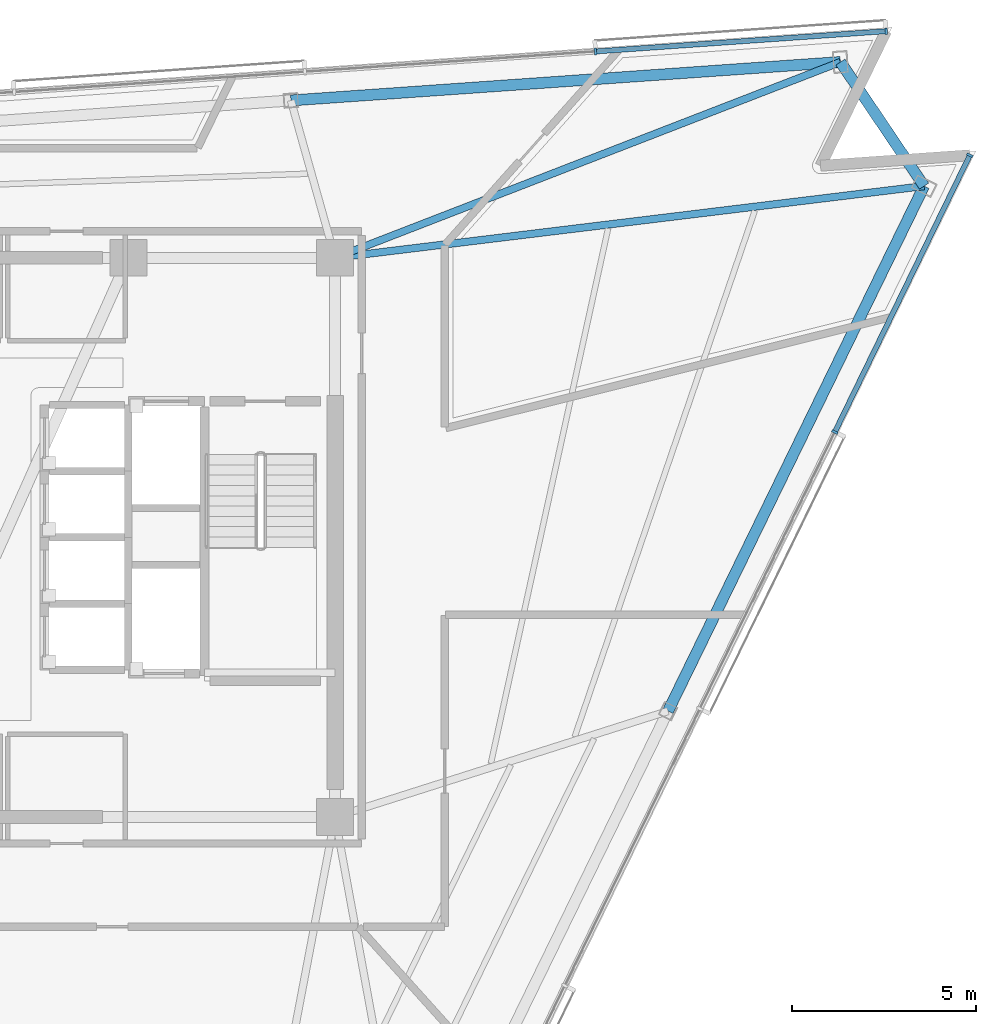
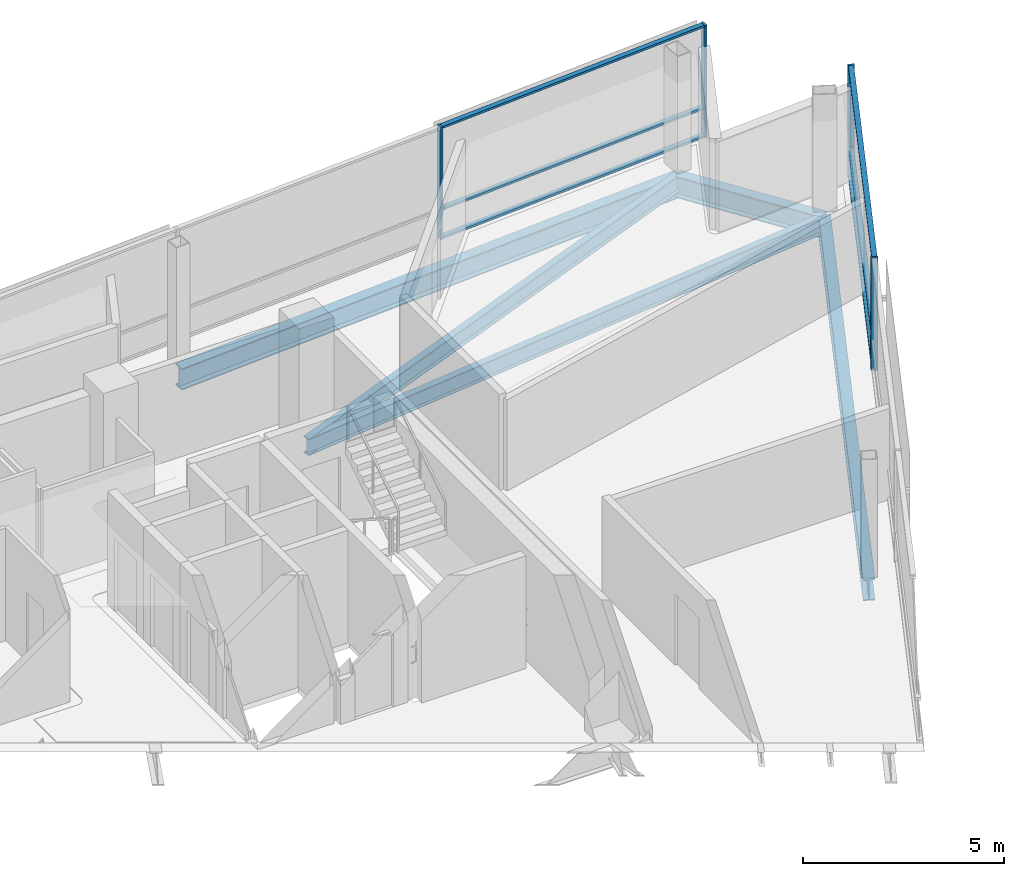
# One storey, part 7 of 16: 10 members, 5 beams, 2 elements without a shape of their own.
"""IFC4 building model written with IfcOpenShell, lengths in metres."""

import ifcopenshell
import ifcopenshell.guid

model = None  # the IFC model being written
_history = None  # IfcOwnerHistory: only IFC2X3 demands one
_inside = {}  # id of a spatial element -> (the spatial element, [elements in it])
_under = {}  # id of a project, library or spatial element -> (it, [spatial elements below it])
_declared = {}  # id of a project -> (the project, [libraries it declares])
_typed = {}  # id of a type object -> (the type object, [elements of that type])
_made_of = {}  # id of a material, layer set ... -> (it, [elements and type objects made of it])


def new_model(schema):
    """Start an empty IFC model of exactly this schema.

    Asked for "IFC4X3", IfcOpenShell would pick the latest addendum, in which some entities
    have other attributes; the version numbers below select the first issue.
    IFC2X3 requires an IfcOwnerHistory on every rooted entity: one is made here for all.
    """
    global model, _history
    if schema == "IFC4X3":
        model = ifcopenshell.file(schema_version=(4, 3, 0, 0))
    else:
        model = ifcopenshell.file(schema=schema)
    _inside.clear()
    _under.clear()
    _declared.clear()
    _typed.clear()
    _made_of.clear()
    _history = None
    if model.schema == "IFC2X3":
        org = make("IfcOrganization", Name="unknown")
        user = make(
            "IfcPersonAndOrganization",
            ThePerson=make("IfcPerson", FamilyName="unknown"),
            TheOrganization=org,
        )
        app = make(
            "IfcApplication",
            ApplicationDeveloper=org,
            Version="unknown",
            ApplicationFullName="unknown",
            ApplicationIdentifier="unknown",
        )
        _history = make(
            "IfcOwnerHistory",
            OwningUser=user,
            OwningApplication=app,
            ChangeAction="ADDED",
            CreationDate=0,
        )
    return model


def make(cls, **values):
    """One entity of the class cls with the attributes given. An attribute that is None is left unset."""
    return model.create_entity(
        cls, **{name: value for name, value in values.items() if value is not None}
    )


def rooted(cls, **values):
    """An entity with a GlobalId (a new one), such as an element, a storey or a relation."""
    return make(cls, GlobalId=ifcopenshell.guid.new(), OwnerHistory=_history, **values)


def si_unit(unit_type, name, prefix=None):
    """IfcSIUnit, for example si_unit("LENGTHUNIT", "METRE", prefix="MILLI")."""
    return make("IfcSIUnit", UnitType=unit_type, Prefix=prefix, Name=name)


def assignment(units):
    """IfcUnitAssignment: the units of a project."""
    return None if units is None else make("IfcUnitAssignment", Units=units)


def point(xyz):
    """IfcCartesianPoint."""
    return None if xyz is None else make("IfcCartesianPoint", Coordinates=xyz)


def direction(xyz):
    """IfcDirection."""
    return None if xyz is None else make("IfcDirection", DirectionRatios=xyz)


def frame(location, z_axis=None, x_axis=None):
    """IfcAxis2Placement3D, a coordinate frame: its origin and axes. An axis left out is left unset."""
    return make(
        "IfcAxis2Placement3D",
        Location=point(location),
        Axis=direction(z_axis),
        RefDirection=direction(x_axis),
    )


def frame_2d(location, x_axis=None):
    """IfcAxis2Placement2D, a coordinate frame in the plane: its origin and x axis."""
    return make(
        "IfcAxis2Placement2D", Location=point(location), RefDirection=direction(x_axis)
    )


def origin():
    """The frame at (0, 0, 0) with its axes left unset."""
    return frame((0.0, 0.0, 0.0))


def origin_2d():
    """The frame at (0, 0) in the plane with its x axis left unset."""
    return frame_2d((0.0, 0.0))


def place(relative_to, where):
    """IfcLocalPlacement: puts the frame where relative to a parent placement (None: the world)."""
    return make(
        "IfcLocalPlacement", PlacementRelTo=relative_to, RelativePlacement=where
    )


def context(
    kind, dimensions, precision=None, world=None, true_north=None, identifier=None
):
    """IfcGeometricRepresentationContext, for example the 3D "Model" context."""
    return make(
        "IfcGeometricRepresentationContext",
        ContextIdentifier=identifier,
        ContextType=kind,
        CoordinateSpaceDimension=dimensions,
        Precision=precision,
        WorldCoordinateSystem=world,
        TrueNorth=true_north,
    )


def subcontext(parent, identifier, kind, view, scale=None):
    """IfcGeometricRepresentationSubContext, for example "Body" below "Model"."""
    return make(
        "IfcGeometricRepresentationSubContext",
        ContextIdentifier=identifier,
        ContextType=kind,
        ParentContext=parent,
        TargetScale=scale,
        TargetView=view,
    )


def project(units=None, contexts=None):
    """IfcProject with its units and contexts."""
    return rooted(
        "IfcProject",
        Name="project",
        RepresentationContexts=contexts,
        UnitsInContext=assignment(units),
    )


def spatial(cls, under=None, at=None, **own):
    """A site, building, storey or space (cls), placed at a placement, below another one or the project."""
    s = rooted(cls, ObjectPlacement=at, **own)
    if under is not None:
        _under.setdefault(under.id(), (under, []))[1].append(s)
    return s


def profile(cls, at=None, kind="AREA", **sizes):
    """A parametric profile (cls). Its sizes go by their IFC names, for example OverallWidth=200.0."""
    return make(cls, ProfileType=kind, Position=at, **sizes)


def rectangle(**sizes):
    """IfcRectangleProfileDef."""
    return profile("IfcRectangleProfileDef", **sizes)


def i_section(**sizes):
    """IfcIShapeProfileDef."""
    return profile("IfcIShapeProfileDef", **sizes)


def extrude(swept, where, along, depth):
    """IfcExtrudedAreaSolid: the profile swept, set in the frame where, extruded along a direction by depth."""
    return make(
        "IfcExtrudedAreaSolid",
        SweptArea=swept,
        Position=where,
        ExtrudedDirection=direction(along),
        Depth=depth,
    )


def shape(context_of_items, identifier, shape_type, items):
    """IfcShapeRepresentation: the items that make up one representation, for example the "Body"."""
    return make(
        "IfcShapeRepresentation",
        ContextOfItems=context_of_items,
        RepresentationIdentifier=identifier,
        RepresentationType=shape_type,
        Items=items,
    )


def material(Name=None, Category=None):
    """IfcMaterial."""
    return make("IfcMaterial", Name=Name, Category=Category)


def layer(
    of_material, thickness, ventilated=None, Name=None, Category=None, Priority=None
):
    """IfcMaterialLayer: one layer of a wall or slab, of a material (None: an air gap)."""
    return make(
        "IfcMaterialLayer",
        Material=of_material,
        LayerThickness=thickness,
        IsVentilated=ventilated,
        Name=Name,
        Category=Category,
        Priority=Priority,
    )


def layer_set(layers, Name=None):
    """IfcMaterialLayerSet."""
    return make("IfcMaterialLayerSet", MaterialLayers=layers, LayerSetName=Name)


def material_profile(
    of_material, cross_section, Name=None, Category=None, Priority=None
):
    """IfcMaterialProfile: a cross section and its material."""
    return make(
        "IfcMaterialProfile",
        Name=Name,
        Material=of_material,
        Profile=cross_section,
        Priority=Priority,
        Category=Category,
    )


def profile_set(profiles, Name=None, composite=None):
    """IfcMaterialProfileSet."""
    return make(
        "IfcMaterialProfileSet",
        Name=Name,
        MaterialProfiles=profiles,
        CompositeProfile=composite,
    )


def made_of(thing, what):
    """Note that an element or type object is made of a material, layer set ...; save() writes the relation."""
    if what is not None:
        _made_of.setdefault(what.id(), (what, []))[1].append(thing)
    return thing


def type_object(cls, material=None, **own):
    """A type object (cls), such as IfcWallType, which elements share."""
    return made_of(rooted(cls, **own), material)


def element(
    cls,
    number,
    at=None,
    inside=None,
    cuts=None,
    type_object=None,
    material=None,
    context=None,
    identifier="Body",
    shape_type=None,
    held_by="IfcProductDefinitionShape",
    body=None,
    shapes=None,
    **own,
):
    """One element of the class cls, such as IfcWall. Its Tag is "e" and its number.

    at: its placement. inside: the storey or other place that contains it. cuts: it is an
    opening in that element (IfcRelVoidsElement). A single representation is given by context,
    identifier, shape_type and body (its items); several are given by shapes. held_by: the class
    of the entity that holds the representations. save() writes the other relations.
    """
    e = rooted(cls, Tag="e%d" % number, ObjectPlacement=at, **own)
    if body is not None:
        shapes = [shape(context, identifier, shape_type, body)]
    if shapes is not None:
        e.Representation = make(held_by, Representations=shapes)
    if inside is not None:
        _inside.setdefault(inside.id(), (inside, []))[1].append(e)
    if cuts is not None:
        rooted(
            "IfcRelVoidsElement", RelatingBuildingElement=cuts, RelatedOpeningElement=e
        )
    if type_object is not None:
        _typed.setdefault(type_object.id(), (type_object, []))[1].append(e)
    return made_of(e, material)


def aggregate(whole, parts):
    """IfcRelAggregates: a whole, such as a stair, and the parts it consists of."""
    return rooted("IfcRelAggregates", RelatingObject=whole, RelatedObjects=parts)


def save(model, path):
    """Write the relations noted so far, then the file.

    IfcRelAggregates (storeys below a building ...), IfcRelContainedInSpatialStructure (elements
    in a storey), IfcRelDefinesByType, IfcRelAssociatesMaterial and IfcRelDeclares: one each for
    every whole, place, type object, material and project.
    """
    for whole, parts in _under.values():
        aggregate(whole, parts)
    for where, things in _inside.values():
        rooted(
            "IfcRelContainedInSpatialStructure",
            RelatedElements=things,
            RelatingStructure=where,
        )
    for kind, things in _typed.values():
        rooted("IfcRelDefinesByType", RelatedObjects=things, RelatingType=kind)
    for what, things in _made_of.values():
        rooted("IfcRelAssociatesMaterial", RelatedObjects=things, RelatingMaterial=what)
    for by, libraries in _declared.values():
        rooted("IfcRelDeclares", RelatingContext=by, RelatedDefinitions=libraries)
    model.write(path)


model = new_model("IFC4")

# Units and contexts
model_context = context("Model", 3, precision=1e-05, world=origin(), true_north=direction((0.0, 1.0)))
body_context = subcontext(model_context, "Body", "Model", "MODEL_VIEW")
ifc_project = project(units=[si_unit("LENGTHUNIT", "METRE"), si_unit("AREAUNIT", "SQUARE_METRE"), si_unit("VOLUMEUNIT", "CUBIC_METRE"), si_unit("PLANEANGLEUNIT", "RADIAN"), si_unit("MASSUNIT", "GRAM", prefix="KILO")], contexts=[model_context])

# Site, building, storey
site_placement = place(None, origin())
site = spatial("IfcSite", under=ifc_project, at=site_placement, CompositionType="ELEMENT")
building_placement = place(site_placement, origin())
building = spatial("IfcBuilding", under=site, at=building_placement, Name="Tharavind Bronze Gate", CompositionType="ELEMENT")
storey_placement = place(building_placement, frame((0.0, 0.0, 257.0)))
storey = spatial("IfcBuildingStorey", under=building, at=storey_placement, Name="L66", CompositionType="ELEMENT", Elevation=257.0)

# Curtain wall, members
ifc_material_1 = material(Name="Anodised Bronze Aluminium", Category="aluminium")
ifc_layer = layer(ifc_material_1, 0.219970703125)
ifc_layer_set = layer_set([ifc_layer], Name="Anodised Bronze Aluminium")
curtain_wall_type = type_object("IfcCurtainWallType", Name="UNITISED CURTAIN WALL UPPER OFFICE", PredefinedType="USERDEFINED", material=ifc_layer_set)
curtain_wall_1_placement = place(storey_placement, origin())
curtain_wall_1 = element("IfcCurtainWall", 1, at=curtain_wall_1_placement, inside=storey, type_object=curtain_wall_type, Name="L66 unitised curtain wall upper office CW-L66-S2", ObjectType="UNITISED CURTAIN WALL", PredefinedType="USERDEFINED")
member_type_1 = type_object("IfcMemberType", Name="CURTAIN WALL BRONZE MULLION 65X180", PredefinedType="MULLION", material=ifc_material_1)
member_1_placement = place(storey_placement, frame((22.485107421875, 2.863525390625, 0.0), z_axis=(0.0, 0.0, 1.0), x_axis=(0.43837271548, 0.898793281196, 0.0)))
member_1 = element("IfcMember", 2, at=member_1_placement, type_object=member_type_1, Name="CW-L66-S2 mullion 6", PredefinedType="MULLION", context=body_context, shape_type="SweptSolid", body=[
    extrude(rectangle(XDim=0.06494140625, YDim=0.179931640625, at=origin_2d()), origin(), (0.0, 0.0, 1.0), 3.419921875),
])
member_2_placement = place(storey_placement, frame((26.1552734375, 10.388427734375, 0.0), z_axis=(0.0, 0.0, 1.0), x_axis=(0.43837271548, 0.898793281196, 0.0)))
member_2 = element("IfcMember", 3, at=member_2_placement, type_object=member_type_1, Name="CW-L66-S2 mullion 7", PredefinedType="MULLION", context=body_context, shape_type="SweptSolid", body=[
    extrude(rectangle(XDim=0.06494140625, YDim=0.179931640625, at=origin_2d()), origin(), (0.0, 0.0, 1.0), 3.419921875),
])

curtain_wall_2_placement = place(storey_placement, origin())
curtain_wall_2 = element("IfcCurtainWall", 4, at=curtain_wall_2_placement, inside=storey, type_object=curtain_wall_type, Name="L66 unitised curtain wall upper office CW-L66-S3", ObjectType="UNITISED CURTAIN WALL", PredefinedType="USERDEFINED")
member_3_placement = place(storey_placement, frame((23.880615234375, 13.760986328125, 0.0), z_axis=(0.0, 0.0, 1.0), x_axis=(-0.997563806758, -0.069759955899, 0.0)))
member_3 = element("IfcMember", 5, at=member_3_placement, type_object=member_type_1, Name="CW-L66-S3 mullion 1", PredefinedType="MULLION", context=body_context, shape_type="SweptSolid", body=[
    extrude(rectangle(XDim=0.06494140625, YDim=0.179931640625, at=origin_2d()), origin(), (0.0, 0.0, 1.0), 3.419921875),
])
member_4_placement = place(storey_placement, frame((15.9794921875, 13.20849609375, 0.0), z_axis=(0.0, 0.0, 1.0), x_axis=(-0.997563806758, -0.069759955899, 0.0)))
member_4 = element("IfcMember", 6, at=member_4_placement, type_object=member_type_1, Name="CW-L66-S3 mullion 2", PredefinedType="MULLION", context=body_context, shape_type="SweptSolid", body=[
    extrude(rectangle(XDim=0.06494140625, YDim=0.179931640625, at=origin_2d()), origin(), (0.0, 0.0, 1.0), 3.419921875),
])

# Member
member_type_2 = type_object("IfcMemberType", Name="CURTAIN WALL BRONZE TRANSOM 65X140", PredefinedType="USERDEFINED", material=ifc_material_1)
member_5_placement = place(storey_placement, frame((24.3203125, 6.6259765625, 0.0), z_axis=(0.0, 0.0, 1.0), x_axis=(0.43837271548, 0.898793281196, 0.0)))
member_5 = element("IfcMember", 7, at=member_5_placement, type_object=member_type_2, Name="CW-L66-S2 transom TB6", ObjectType="TRANSOM", PredefinedType="USERDEFINED", context=body_context, shape_type="SweptSolid", body=[
    extrude(rectangle(XDim=8.3193359375, YDim=0.139892578125, at=origin_2d()), origin(), (0.0, 0.0, 1.0), 0.06494140625),
])

member_6_placement = place(storey_placement, frame((24.3203125, 6.6259765625, 0.867431640625), z_axis=(0.0, 0.0, 1.0), x_axis=(0.43837271548, 0.898793281196, 0.0)))
member_6 = element("IfcMember", 8, at=member_6_placement, type_object=member_type_2, Name="CW-L66-S2 transom TS6", ObjectType="TRANSOM", PredefinedType="USERDEFINED", context=body_context, shape_type="SweptSolid", body=[
    extrude(rectangle(XDim=8.3193359375, YDim=0.139892578125, at=origin_2d()), origin(), (0.0, 0.0, 1.0), 0.06494140625),
])

member_7_placement = place(storey_placement, frame((24.3203125, 6.6259765625, 3.35498046875), z_axis=(0.0, 0.0, 1.0), x_axis=(0.43837271548, 0.898793281196, 0.0)))
member_7 = element("IfcMember", 9, at=member_7_placement, type_object=member_type_2, Name="CW-L66-S2 transom TT6", ObjectType="TRANSOM", PredefinedType="USERDEFINED", context=body_context, shape_type="SweptSolid", body=[
    extrude(rectangle(XDim=8.3193359375, YDim=0.139892578125, at=origin_2d()), origin(), (0.0, 0.0, 1.0), 0.06494140625),
])

aggregate(curtain_wall_1, [member_1, member_2, member_5, member_6, member_7])

member_8_placement = place(storey_placement, frame((19.929931640625, 13.48486328125, 0.0), z_axis=(0.0, 0.0, 1.0), x_axis=(-0.997563806758, -0.069759955899, 0.0)))
member_8 = element("IfcMember", 10, at=member_8_placement, type_object=member_type_2, Name="CW-L66-S3 transom TB1", ObjectType="TRANSOM", PredefinedType="USERDEFINED", context=body_context, shape_type="SweptSolid", body=[
    extrude(rectangle(XDim=7.8671875, YDim=0.139892578125, at=origin_2d()), origin(), (0.0, 0.0, 1.0), 0.06494140625),
])

member_9_placement = place(storey_placement, frame((19.929931640625, 13.48486328125, 0.867431640625), z_axis=(0.0, 0.0, 1.0), x_axis=(-0.997563806758, -0.069759955899, 0.0)))
member_9 = element("IfcMember", 11, at=member_9_placement, type_object=member_type_2, Name="CW-L66-S3 transom TS1", ObjectType="TRANSOM", PredefinedType="USERDEFINED", context=body_context, shape_type="SweptSolid", body=[
    extrude(rectangle(XDim=7.8671875, YDim=0.139892578125, at=origin_2d()), origin(), (0.0, 0.0, 1.0), 0.06494140625),
])

member_10_placement = place(storey_placement, frame((19.929931640625, 13.48486328125, 3.35498046875), z_axis=(0.0, 0.0, 1.0), x_axis=(-0.997563806758, -0.069759955899, 0.0)))
member_10 = element("IfcMember", 12, at=member_10_placement, type_object=member_type_2, Name="CW-L66-S3 transom TT1", ObjectType="TRANSOM", PredefinedType="USERDEFINED", context=body_context, shape_type="SweptSolid", body=[
    extrude(rectangle(XDim=7.8671875, YDim=0.139892578125, at=origin_2d()), origin(), (0.0, 0.0, 1.0), 0.06494140625),
])

aggregate(curtain_wall_2, [member_3, member_4, member_8, member_9, member_10])

# Beams
ifc_material_2 = material(Name="Steel S355", Category="steel")
ifc_material_profile_1 = material_profile(ifc_material_2, i_section(OverallWidth=0.300048828125, OverallDepth=0.64990234375, WebThickness=0.01611328125, FlangeThickness=0.031005859375, at=origin_2d()), Name="HE650B")
ifc_profile_set_1 = profile_set([ifc_material_profile_1], Name="Steel S355")
beam_type_1 = type_object("IfcBeamType", Name="PRIMARY GIRDER HE650B", PredefinedType="USERDEFINED", material=ifc_profile_set_1)
beam_1_placement = place(storey_placement, frame((17.950927734375, -4.721923828125, -0.5048828125), z_axis=(0.438366378116, 0.898796372121, 0.0), x_axis=(-0.898796372121, 0.438366378116, 0.0)))
element("IfcBeam", 13, at=beam_1_placement, inside=storey, type_object=beam_type_1, Name="L66 primary girder he650b BM-L66-PRG07", ObjectType="GIRDER", PredefinedType="USERDEFINED", context=body_context, shape_type="SweptSolid", body=[
    extrude(i_section(OverallWidth=0.300048828125, OverallDepth=0.64990234375, WebThickness=0.01611328125, FlangeThickness=0.031005859375, at=origin_2d()), origin(), (0.0, 0.0, 1.0), 15.878662109375),
])
beam_2_placement = place(storey_placement, frame((24.91162109375, 9.5498046875, -0.5048828125), z_axis=(-0.559165651986, 0.829055953262, 0.0), x_axis=(-0.829055953262, -0.559165651986, 0.0)))
element("IfcBeam", 14, at=beam_2_placement, inside=storey, type_object=beam_type_1, Name="L66 primary girder he650b BM-L66-PRG08", ObjectType="GIRDER", PredefinedType="USERDEFINED", context=body_context, shape_type="SweptSolid", body=[
    extrude(i_section(OverallWidth=0.300048828125, OverallDepth=0.64990234375, WebThickness=0.01611328125, FlangeThickness=0.031005859375, at=origin_2d()), origin(), (0.0, 0.0, 1.0), 4.06787109375),
])
beam_3_placement = place(storey_placement, frame((22.636962890625, 12.92236328125, -0.5048828125), z_axis=(-0.997563609873, -0.069762771286, 0.0), x_axis=(0.069762771286, -0.997563609873, 0.0)))
element("IfcBeam", 15, at=beam_3_placement, inside=storey, type_object=beam_type_1, Name="L66 primary girder he650b BM-L66-PRG09", ObjectType="GIRDER", PredefinedType="USERDEFINED", context=body_context, shape_type="SweptSolid", body=[
    extrude(i_section(OverallWidth=0.300048828125, OverallDepth=0.64990234375, WebThickness=0.01611328125, FlangeThickness=0.031005859375, at=origin_2d()), origin(), (0.0, 0.0, 1.0), 14.974609375),
])
ifc_material_profile_2 = material_profile(ifc_material_2, i_section(OverallWidth=0.199951171875, OverallDepth=0.5, WebThickness=0.01025390625, FlangeThickness=0.01611328125, at=origin_2d()), Name="IPE500")
ifc_profile_set_2 = profile_set([ifc_material_profile_2], Name="Steel S355")
beam_type_2 = type_object("IfcBeamType", Name="PRIMARY GIRDER IPE500", PredefinedType="USERDEFINED", material=ifc_profile_set_2)
beam_4_placement = place(storey_placement, frame((24.91162109375, 9.5498046875, -0.429931640625), z_axis=(-0.992667775401, -0.120874677579, 0.0), x_axis=(0.120874677579, -0.992667775401, 0.0)))
element("IfcBeam", 16, at=beam_4_placement, inside=storey, type_object=beam_type_2, Name="L66 primary girder ipe500 BM-L66-RAD08", ObjectType="GIRDER", PredefinedType="USERDEFINED", context=body_context, shape_type="SweptSolid", body=[
    extrude(i_section(OverallWidth=0.199951171875, OverallDepth=0.5, WebThickness=0.01025390625, FlangeThickness=0.01611328125, at=origin_2d()), origin(), (0.0, 0.0, 1.0), 16.1298828125),
])
beam_5_placement = place(storey_placement, frame((22.636962890625, 12.92236328125, -0.429931640625), z_axis=(-0.932460796057, -0.361271177672, 0.0), x_axis=(0.361271177672, -0.932460796057, 0.0)))
element("IfcBeam", 17, at=beam_5_placement, inside=storey, type_object=beam_type_2, Name="L66 primary girder ipe500 BM-L66-RAD09", ObjectType="GIRDER", PredefinedType="USERDEFINED", context=body_context, shape_type="SweptSolid", body=[
    extrude(i_section(OverallWidth=0.199951171875, OverallDepth=0.5, WebThickness=0.01025390625, FlangeThickness=0.01611328125, at=origin_2d()), origin(), (0.0, 0.0, 1.0), 14.73193359375),
])

save(model, "model.ifc")
